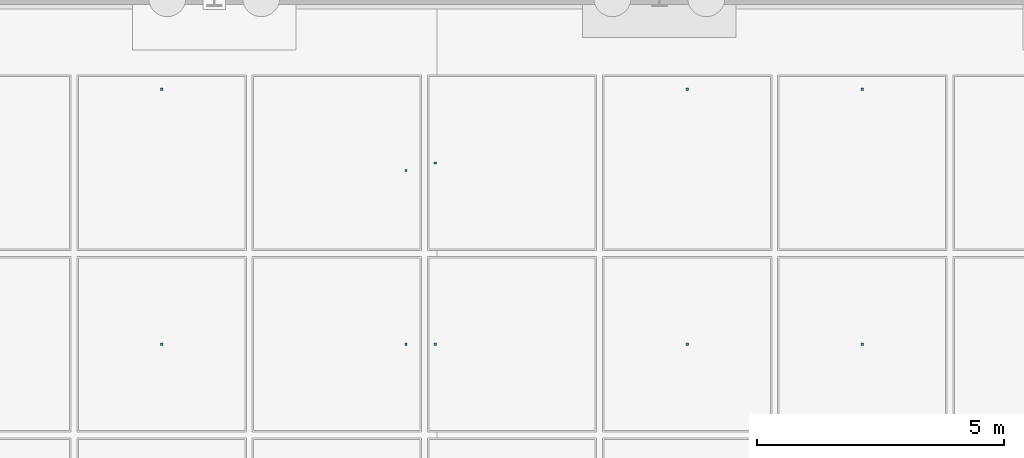
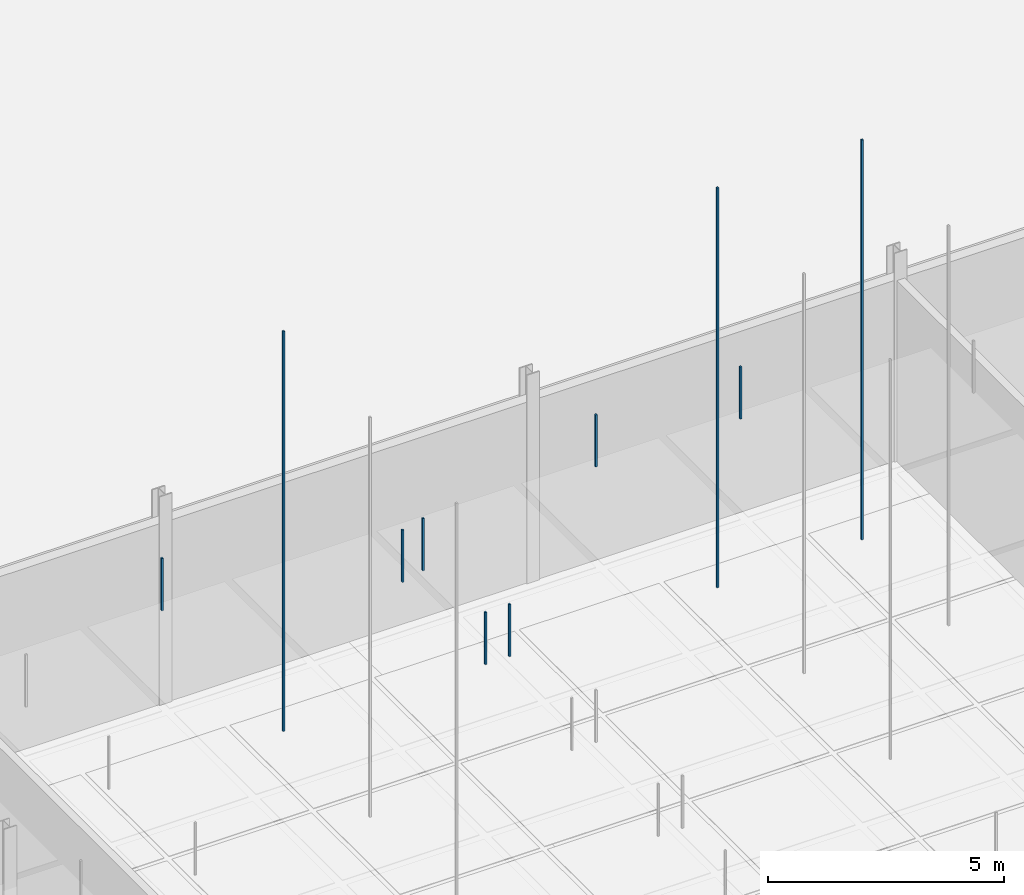
# One storey, part 152 of 180: 10 discrete accessories.
"""IFC4 building model written with IfcOpenShell, lengths in metres."""

from ifc_helpers import new_model, si_unit, direction, frame, origin, origin_2d, place, context, subcontext, project, spatial, rectangle, extrude, material, type_object, element, save


model = new_model("IFC4")

# Units and contexts
model_context = context("Model", 3, precision=1e-05, world=origin(), true_north=direction((0.0, 1.0)))
body_context = subcontext(model_context, "Body", "Model", "MODEL_VIEW")
ifc_project = project(units=[si_unit("LENGTHUNIT", "METRE"), si_unit("AREAUNIT", "SQUARE_METRE"), si_unit("VOLUMEUNIT", "CUBIC_METRE"), si_unit("PLANEANGLEUNIT", "RADIAN"), si_unit("MASSUNIT", "GRAM", prefix="KILO"), si_unit("THERMODYNAMICTEMPERATUREUNIT", "KELVIN"), si_unit("POWERUNIT", "WATT")], contexts=[model_context])

# Site, building, storey
site_placement = place(None, origin())
site = spatial("IfcSite", under=ifc_project, at=site_placement, CompositionType="ELEMENT")
building_placement = place(site_placement, origin())
building = spatial("IfcBuilding", under=site, at=building_placement, Name="Tallowbark Science Centre", CompositionType="ELEMENT")
storey_placement = place(building_placement, origin())
storey = spatial("IfcBuildingStorey", under=building, at=storey_placement, Name="L00", CompositionType="ELEMENT", Elevation=0.0)

# Discrete accessories
ifc_material = material(Name="Galvanised Steel Grade C350L0 (350 MPa)", Category="steel")
discrete_accessory_type = type_object("IfcDiscreteAccessoryType", Name="ACC-CLG-HNG", PredefinedType="BRACKET", material=ifc_material)
discrete_accessory_1_placement = place(storey_placement, frame((129.4375, 29.0, 3.8095703125), z_axis=(0.0, 0.0, 1.0), x_axis=(1.0, 0.0, 0.0)))
element("IfcDiscreteAccessory", 1, at=discrete_accessory_1_placement, inside=storey, type_object=discrete_accessory_type, Name="Ceiling Hanger Bracket L00-232", PredefinedType="BRACKET", context=body_context, shape_type="SweptSolid", body=[
    extrude(rectangle(XDim=0.044921875, YDim=0.044921875, at=origin_2d()), origin(), (0.0, 0.0, 1.0), 10.353515625),
])
for number, where, z_axis, x_axis, name in (
    (2, (129.4375, 34.155029296875, 3.8095703125), (0.0, 0.0, 1.0), (1.0, 0.0, 0.0), "Ceiling Hanger Bracket L00-233"),
    (3, (134.3798828125, 29.0, 3.8095703125), (0.0, 0.0, 1.0), (1.0, 0.0, 0.0), "Ceiling Hanger Bracket L00-241"),
    (4, (134.3798828125, 32.51171875, 3.8095703125), (0.0, 0.0, 1.0), (1.0, 0.0, 0.0), "Ceiling Hanger Bracket L00-242"),
    (5, (134.969970703125, 29.0, 3.8095703125), (0.0, 0.0, 1.0), (1.0, 0.0, 0.0), "Ceiling Hanger Bracket L00-250"),
    (6, (134.969970703125, 32.666748046875, 3.8095703125), (0.0, 0.0, 1.0), (1.0, 0.0, 0.0), "Ceiling Hanger Bracket L00-251"),
):
    element("IfcDiscreteAccessory", number, at=place(storey_placement, frame(where, z_axis=z_axis, x_axis=x_axis)), inside=storey, type_object=discrete_accessory_type, Name=name, PredefinedType="BRACKET", context=body_context, shape_type="SweptSolid", body=[
        extrude(rectangle(XDim=0.044921875, YDim=0.044921875, at=origin_2d()), origin(), (0.0, 0.0, 1.0), 1.353515625),
    ])
discrete_accessory_2_placement = place(storey_placement, frame((140.0625, 29.0, 3.8095703125), z_axis=(0.0, 0.0, 1.0), x_axis=(1.0, 0.0, 0.0)))
element("IfcDiscreteAccessory", 7, at=discrete_accessory_2_placement, inside=storey, type_object=discrete_accessory_type, Name="Ceiling Hanger Bracket L00-259", PredefinedType="BRACKET", context=body_context, shape_type="SweptSolid", body=[
    extrude(rectangle(XDim=0.044921875, YDim=0.044921875, at=origin_2d()), origin(), (0.0, 0.0, 1.0), 10.353515625),
])
discrete_accessory_3_placement = place(storey_placement, frame((140.0625, 34.155029296875, 3.8095703125), z_axis=(0.0, 0.0, 1.0), x_axis=(1.0, 0.0, 0.0)))
element("IfcDiscreteAccessory", 8, at=discrete_accessory_3_placement, inside=storey, type_object=discrete_accessory_type, Name="Ceiling Hanger Bracket L00-260", PredefinedType="BRACKET", context=body_context, shape_type="SweptSolid", body=[
    extrude(rectangle(XDim=0.044921875, YDim=0.044921875, at=origin_2d()), origin(), (0.0, 0.0, 1.0), 1.353515625),
])
discrete_accessory_4_placement = place(storey_placement, frame((143.604248046875, 29.0, 3.8095703125), z_axis=(0.0, 0.0, 1.0), x_axis=(1.0, 0.0, 0.0)))
element("IfcDiscreteAccessory", 9, at=discrete_accessory_4_placement, inside=storey, type_object=discrete_accessory_type, Name="Ceiling Hanger Bracket L00-268", PredefinedType="BRACKET", context=body_context, shape_type="SweptSolid", body=[
    extrude(rectangle(XDim=0.044921875, YDim=0.044921875, at=origin_2d()), origin(), (0.0, 0.0, 1.0), 10.353515625),
])
discrete_accessory_5_placement = place(storey_placement, frame((143.604248046875, 34.155029296875, 3.8095703125), z_axis=(0.0, 0.0, 1.0), x_axis=(1.0, 0.0, 0.0)))
element("IfcDiscreteAccessory", 10, at=discrete_accessory_5_placement, inside=storey, type_object=discrete_accessory_type, Name="Ceiling Hanger Bracket L00-269", PredefinedType="BRACKET", context=body_context, shape_type="SweptSolid", body=[
    extrude(rectangle(XDim=0.044921875, YDim=0.044921875, at=origin_2d()), origin(), (0.0, 0.0, 1.0), 1.353515625),
])

save(model, "model.ifc")
